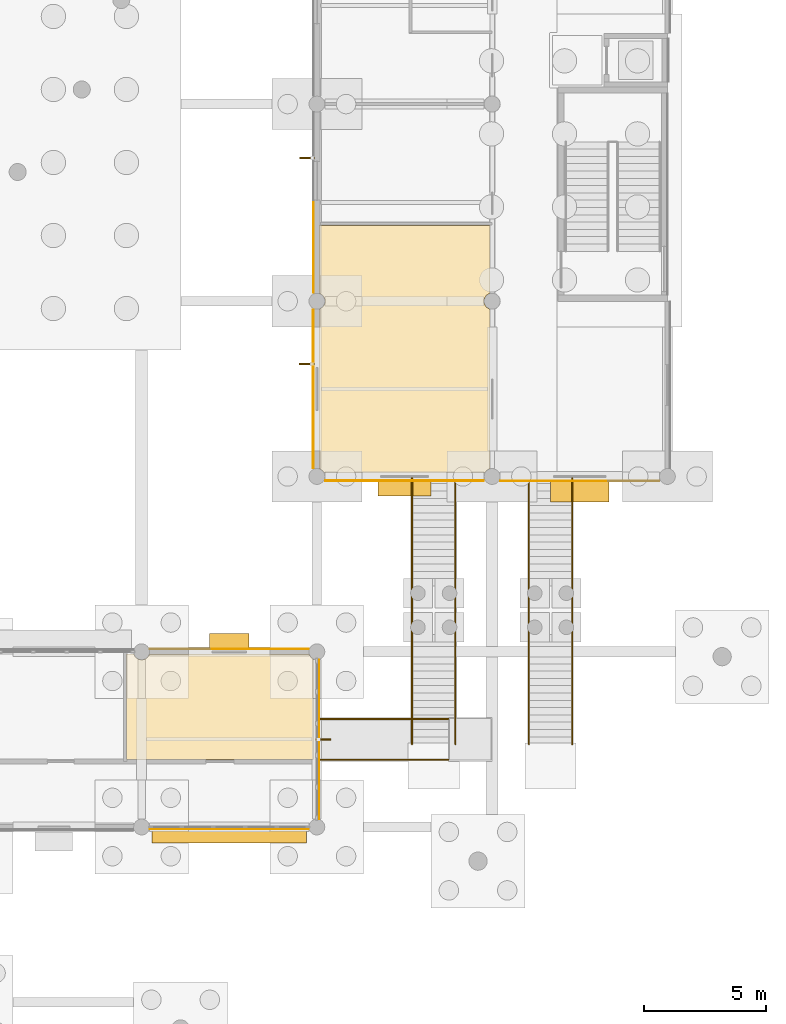
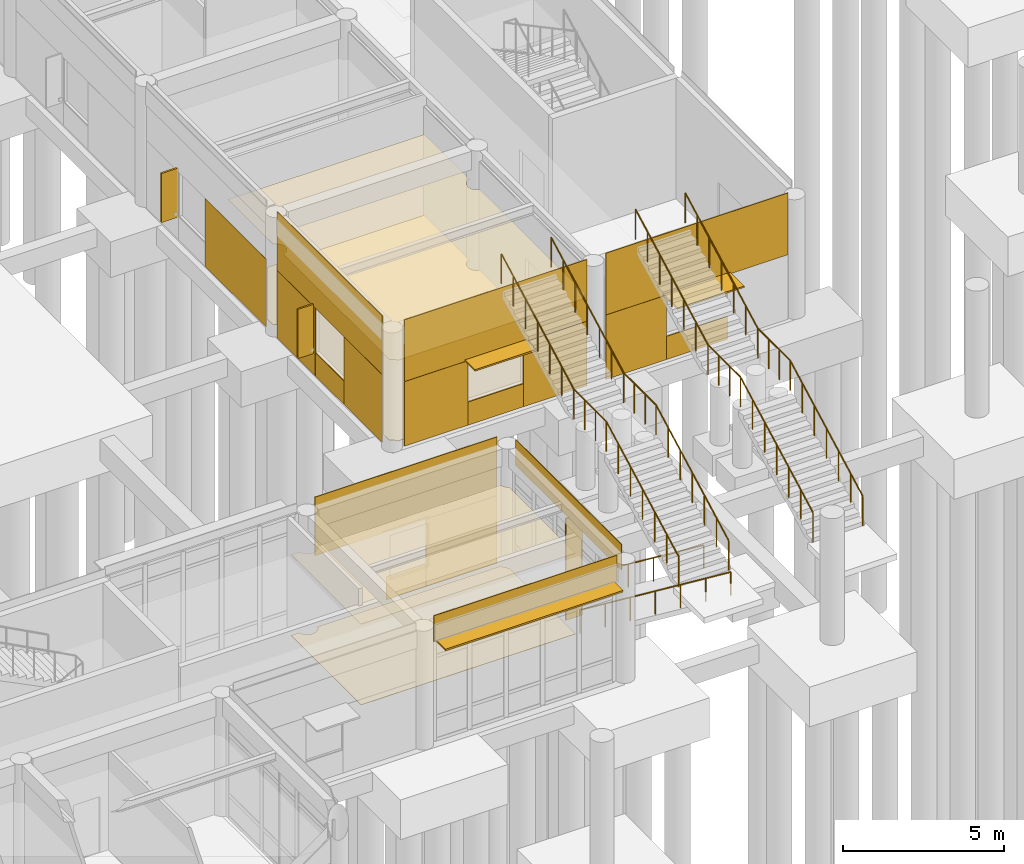
# One storey, part 100 of 103: 21 coverings, 7 shading devices, 6 railings.
"""IFC4 building model written with IfcOpenShell, lengths in metres."""

from ifc_helpers import new_model, si_unit, direction, frame, origin, origin_2d, place, context, subcontext, project, spatial, polyline, rectangle, circle, outline, extrude, material, layer, layer_set, type_object, element, save


model = new_model("IFC4")

# Units and contexts
model_context = context("Model", 3, precision=1e-05, world=origin(), true_north=direction((0.0, 1.0)))
body_context = subcontext(model_context, "Body", "Model", "MODEL_VIEW")
ifc_project = project(units=[si_unit("LENGTHUNIT", "METRE"), si_unit("AREAUNIT", "SQUARE_METRE"), si_unit("VOLUMEUNIT", "CUBIC_METRE"), si_unit("PLANEANGLEUNIT", "RADIAN"), si_unit("MASSUNIT", "GRAM", prefix="KILO")], contexts=[model_context])

# Site, building, storey
site_placement = place(None, origin())
site = spatial("IfcSite", under=ifc_project, at=site_placement, CompositionType="ELEMENT")
building_placement = place(site_placement, origin())
building = spatial("IfcBuilding", under=site, at=building_placement, Name="Namkhue Oval Health Centre", CompositionType="ELEMENT")
storey_placement = place(building_placement, origin())
storey = spatial("IfcBuildingStorey", under=building, at=storey_placement, Name="L00", CompositionType="ELEMENT", Elevation=0.0)

# Coverings
ifc_material_1 = material(Name="Acoustic mineral-fibre cleanroom ceiling", Category="gypsum")
ifc_layer_1 = layer(ifc_material_1, 0.02001953125)
ifc_layer_set_1 = layer_set([ifc_layer_1], Name="Acoustic mineral-fibre cleanroom ceiling")
covering_type_1 = type_object("IfcCoveringType", Name="ACOUSTIC CLEANROOM CEILING 20", PredefinedType="CEILING", material=ifc_layer_set_1)
covering_1_placement = place(storey_placement, frame((0.0, 0.0, 3.050048828125)))
element("IfcCovering", 1, at=covering_1_placement, inside=storey, type_object=covering_type_1, Name="Acoustic Ceiling L00-511 Dental Treatment Planning Clinic", PredefinedType="CEILING", context=body_context, shape_type="SweptSolid", body=[
    extrude(outline(polyline([(128.97998046875, 24.3798828125), (128.97998046875, 28.715087890625), (129.276123046875, 28.715087890625), (129.309814453125, 28.632568359375), (129.363037109375, 28.56298828125), (129.4326171875, 28.510009765625), (129.51318359375, 28.476318359375), (129.60009765625, 28.465087890625), (129.686767578125, 28.476318359375), (129.767578125, 28.510009765625), (129.8369140625, 28.56298828125), (129.89013671875, 28.632568359375), (129.923828125, 28.715087890625), (136.476318359375, 28.715087890625), (136.510009765625, 28.632568359375), (136.56298828125, 28.56298828125), (136.632568359375, 28.510009765625), (136.655029296875, 28.50048828125), (136.655029296875, 24.3798828125), (128.97998046875, 24.3798828125)])), origin(), (0.0, 0.0, 1.0), 0.02001953125),
])
covering_2_placement = place(storey_placement, frame((0.0, 0.0, 3.050048828125)))
element("IfcCovering", 2, at=covering_2_placement, inside=storey, type_object=covering_type_1, Name="Acoustic Ceiling L00-601 Rehabilitation Physiotherapy Gym", PredefinedType="CEILING", context=body_context, shape_type="SweptSolid", body=[
    extrude(outline(polyline([(137.09521484375, 36.155029296875), (137.090087890625, 36.16748046875), (137.036865234375, 36.23681640625), (136.967529296875, 36.2900390625), (136.885009765625, 36.32373046875), (136.885009765625, 42.876220703125), (136.967529296875, 42.909912109375), (137.036865234375, 42.963134765625), (137.090087890625, 43.032470703125), (137.12353515625, 43.11328125), (137.135009765625, 43.199951171875), (137.12353515625, 43.28662109375), (137.090087890625, 43.367431640625), (137.036865234375, 43.43701171875), (136.967529296875, 43.489990234375), (136.885009765625, 43.523681640625), (136.885009765625, 46.31494140625), (143.919921875, 46.31494140625), (143.919921875, 43.5244140625), (143.83251953125, 43.489990234375), (143.76318359375, 43.43701171875), (143.7099609375, 43.367431640625), (143.676513671875, 43.28662109375), (143.6650390625, 43.199951171875), (143.676513671875, 43.11328125), (143.7099609375, 43.032470703125), (143.76318359375, 42.963134765625), (143.83251953125, 42.909912109375), (143.919921875, 42.87548828125), (143.919921875, 36.324462890625), (143.83251953125, 36.2900390625), (143.76318359375, 36.23681640625), (143.7099609375, 36.16748046875), (143.70458984375, 36.155029296875), (137.09521484375, 36.155029296875)])), origin(), (0.0, 0.0, 1.0), 0.02001953125),
])
ifc_material_2 = material(Name="Homogeneous anti-bacterial clinical vinyl flooring", Category="plastic")
ifc_layer_2 = layer(ifc_material_2, 0.014892578125)
ifc_layer_set_2 = layer_set([ifc_layer_2], Name="Homogeneous anti-bacterial clinical vinyl flooring")
covering_type_2 = type_object("IfcCoveringType", Name="CLINICAL ANTIBACTERIAL VINYL FLOORING 15", PredefinedType="FLOORING", material=ifc_layer_set_2)
covering_3_placement = place(storey_placement, origin())
element("IfcCovering", 3, at=covering_3_placement, inside=storey, type_object=covering_type_2, Name="Clinical Flooring L00-511 Dental Treatment Planning Clinic", PredefinedType="FLOORING", context=body_context, shape_type="SweptSolid", body=[
    extrude(outline(polyline([(128.97998046875, 24.3798828125), (128.97998046875, 28.715087890625), (129.276123046875, 28.715087890625), (129.309814453125, 28.632568359375), (129.363037109375, 28.56298828125), (129.4326171875, 28.510009765625), (129.51318359375, 28.476318359375), (129.60009765625, 28.465087890625), (129.686767578125, 28.476318359375), (129.767578125, 28.510009765625), (129.8369140625, 28.56298828125), (129.89013671875, 28.632568359375), (129.923828125, 28.715087890625), (136.476318359375, 28.715087890625), (136.510009765625, 28.632568359375), (136.56298828125, 28.56298828125), (136.632568359375, 28.510009765625), (136.655029296875, 28.50048828125), (136.655029296875, 24.3798828125), (128.97998046875, 24.3798828125)])), origin(), (0.0, 0.0, 1.0), 0.014892578125),
])
covering_4_placement = place(storey_placement, origin())
element("IfcCovering", 4, at=covering_4_placement, inside=storey, type_object=covering_type_2, Name="Clinical Flooring L00-601 Rehabilitation Physiotherapy Gym", PredefinedType="FLOORING", context=body_context, shape_type="SweptSolid", body=[
    extrude(outline(polyline([(137.09521484375, 36.155029296875), (137.090087890625, 36.16748046875), (137.036865234375, 36.23681640625), (136.967529296875, 36.2900390625), (136.885009765625, 36.32373046875), (136.885009765625, 42.876220703125), (136.967529296875, 42.909912109375), (137.036865234375, 42.963134765625), (137.090087890625, 43.032470703125), (137.12353515625, 43.11328125), (137.135009765625, 43.199951171875), (137.12353515625, 43.28662109375), (137.090087890625, 43.367431640625), (137.036865234375, 43.43701171875), (136.967529296875, 43.489990234375), (136.885009765625, 43.523681640625), (136.885009765625, 46.31494140625), (143.919921875, 46.31494140625), (143.919921875, 43.5244140625), (143.83251953125, 43.489990234375), (143.76318359375, 43.43701171875), (143.7099609375, 43.367431640625), (143.676513671875, 43.28662109375), (143.6650390625, 43.199951171875), (143.676513671875, 43.11328125), (143.7099609375, 43.032470703125), (143.76318359375, 42.963134765625), (143.83251953125, 42.909912109375), (143.919921875, 42.87548828125), (143.919921875, 36.324462890625), (143.83251953125, 36.2900390625), (143.76318359375, 36.23681640625), (143.7099609375, 36.16748046875), (143.70458984375, 36.155029296875), (137.09521484375, 36.155029296875)])), origin(), (0.0, 0.0, 1.0), 0.014892578125),
])

# Railings
ifc_material_3 = material(Name="Brushed stainless steel 316L balustrade with laminated glass infill", Category="steel")
railing_type_1 = type_object("IfcRailingType", Name="EXTERIOR BALUSTRADE GUARD 1150", PredefinedType="BALUSTRADE", material=ifc_material_3)
railing_1_placement = place(storey_placement, frame((140.7099609375, 25.0048828125, 0.0)))
element("IfcRailing", 5, at=railing_1_placement, inside=storey, type_object=railing_type_1, Name="Rehab Terrace West Garden Straight Stair Balustrade Guard L", PredefinedType="BALUSTRADE", context=body_context, shape_type="SweptSolid", body=[
    extrude(circle(Radius=0.02392578125, at=origin_2d()), frame((0.0, 0.0, 1.1259765625), z_axis=(0.0, 0.882148612025, 0.470971152303), x_axis=(-1.0, 0.0, 0.0)), (0.0, 0.0, 1.0), 5.095703125),
    extrude(circle(Radius=0.02392578125, at=origin_2d()), frame((0.0, 4.4951171875, 3.52587890625), z_axis=(0.0, 1.0, 0.0), x_axis=(-1.0, 0.0, 0.0)), (0.0, 0.0, 1.0), 2.010009765625),
    extrude(circle(Radius=0.02392578125, at=origin_2d()), frame((0.0, 6.505126953125, 3.52587890625), z_axis=(0.0, 0.882118076439, 0.471028342267), x_axis=(-1.0, 0.0, 0.0)), (0.0, 0.0, 1.0), 5.095458984375),
    extrude(circle(Radius=0.02099609375, at=origin_2d()), origin(), (0.0, 0.0, 1.0), 1.101806640625),
    extrude(circle(Radius=0.02099609375, at=origin_2d()), frame((0.0, 0.749267578125, 0.39990234375)), (0.0, 0.0, 1.0), 1.101806640625),
    extrude(circle(Radius=0.02099609375, at=origin_2d()), frame((0.0, 1.498291015625, 0.800048828125)), (0.0, 0.0, 1.0), 1.101806640625),
    extrude(circle(Radius=0.02099609375, at=origin_2d()), frame((0.0, 2.24755859375, 1.199951171875)), (0.0, 0.0, 1.0), 1.101806640625),
    extrude(circle(Radius=0.02099609375, at=origin_2d()), frame((0.0, 2.996826171875, 1.599853515625)), (0.0, 0.0, 1.0), 1.101806640625),
    extrude(circle(Radius=0.02099609375, at=origin_2d()), frame((0.0, 3.745849609375, 2.0)), (0.0, 0.0, 1.0), 1.101806640625),
    extrude(circle(Radius=0.02099609375, at=origin_2d()), frame((0.0, 4.4951171875, 2.39990234375)), (0.0, 0.0, 1.0), 1.101806640625),
    extrude(circle(Radius=0.02099609375, at=origin_2d()), frame((0.0, 5.1650390625, 2.39990234375)), (0.0, 0.0, 1.0), 1.101806640625),
    extrude(circle(Radius=0.02099609375, at=origin_2d()), frame((0.0, 5.835205078125, 2.39990234375)), (0.0, 0.0, 1.0), 1.101806640625),
    extrude(circle(Radius=0.02099609375, at=origin_2d()), frame((0.0, 6.505126953125, 2.39990234375)), (0.0, 0.0, 1.0), 1.101806640625),
    extrude(circle(Radius=0.02099609375, at=origin_2d()), frame((0.0, 7.25439453125, 2.7998046875)), (0.0, 0.0, 1.0), 1.101806640625),
    extrude(circle(Radius=0.02099609375, at=origin_2d()), frame((0.0, 8.00341796875, 3.199951171875)), (0.0, 0.0, 1.0), 1.101806640625),
    extrude(circle(Radius=0.02099609375, at=origin_2d()), frame((0.0, 8.75244140625, 3.60009765625)), (0.0, 0.0, 1.0), 1.101806640625),
    extrude(circle(Radius=0.02099609375, at=origin_2d()), frame((0.0, 9.501708984375, 4.0)), (0.0, 0.0, 1.0), 1.101806640625),
    extrude(circle(Radius=0.02099609375, at=origin_2d()), frame((0.0, 10.2509765625, 4.39990234375)), (0.0, 0.0, 1.0), 1.101806640625),
    extrude(circle(Radius=0.02099609375, at=origin_2d()), frame((0.0, 11.0, 4.800048828125)), (0.0, 0.0, 1.0), 1.101806640625),
])
railing_2_placement = place(storey_placement, frame((142.489990234375, 25.0048828125, 0.0)))
element("IfcRailing", 6, at=railing_2_placement, inside=storey, type_object=railing_type_1, Name="Rehab Terrace West Garden Straight Stair Balustrade Guard R", PredefinedType="BALUSTRADE", context=body_context, shape_type="SweptSolid", body=[
    extrude(circle(Radius=0.02392578125, at=origin_2d()), frame((0.0, 0.0, 1.1259765625), z_axis=(0.0, 0.882148612025, 0.470971152303), x_axis=(-1.0, 0.0, 0.0)), (0.0, 0.0, 1.0), 5.095703125),
    extrude(circle(Radius=0.02392578125, at=origin_2d()), frame((0.0, 4.4951171875, 3.52587890625), z_axis=(0.0, 1.0, 0.0), x_axis=(-1.0, 0.0, 0.0)), (0.0, 0.0, 1.0), 2.010009765625),
    extrude(circle(Radius=0.02392578125, at=origin_2d()), frame((0.0, 6.505126953125, 3.52587890625), z_axis=(0.0, 0.882118076439, 0.471028342267), x_axis=(-1.0, 0.0, 0.0)), (0.0, 0.0, 1.0), 5.095458984375),
    extrude(circle(Radius=0.02099609375, at=origin_2d()), origin(), (0.0, 0.0, 1.0), 1.101806640625),
    extrude(circle(Radius=0.02099609375, at=origin_2d()), frame((0.0, 0.749267578125, 0.39990234375)), (0.0, 0.0, 1.0), 1.101806640625),
    extrude(circle(Radius=0.02099609375, at=origin_2d()), frame((0.0, 1.498291015625, 0.800048828125)), (0.0, 0.0, 1.0), 1.101806640625),
    extrude(circle(Radius=0.02099609375, at=origin_2d()), frame((0.0, 2.24755859375, 1.199951171875)), (0.0, 0.0, 1.0), 1.101806640625),
    extrude(circle(Radius=0.02099609375, at=origin_2d()), frame((0.0, 2.996826171875, 1.599853515625)), (0.0, 0.0, 1.0), 1.101806640625),
    extrude(circle(Radius=0.02099609375, at=origin_2d()), frame((0.0, 3.745849609375, 2.0)), (0.0, 0.0, 1.0), 1.101806640625),
    extrude(circle(Radius=0.02099609375, at=origin_2d()), frame((0.0, 4.4951171875, 2.39990234375)), (0.0, 0.0, 1.0), 1.101806640625),
    extrude(circle(Radius=0.02099609375, at=origin_2d()), frame((0.0, 5.1650390625, 2.39990234375)), (0.0, 0.0, 1.0), 1.101806640625),
    extrude(circle(Radius=0.02099609375, at=origin_2d()), frame((0.0, 5.835205078125, 2.39990234375)), (0.0, 0.0, 1.0), 1.101806640625),
    extrude(circle(Radius=0.02099609375, at=origin_2d()), frame((0.0, 6.505126953125, 2.39990234375)), (0.0, 0.0, 1.0), 1.101806640625),
    extrude(circle(Radius=0.02099609375, at=origin_2d()), frame((0.0, 7.25439453125, 2.7998046875)), (0.0, 0.0, 1.0), 1.101806640625),
    extrude(circle(Radius=0.02099609375, at=origin_2d()), frame((0.0, 8.00341796875, 3.199951171875)), (0.0, 0.0, 1.0), 1.101806640625),
    extrude(circle(Radius=0.02099609375, at=origin_2d()), frame((0.0, 8.75244140625, 3.60009765625)), (0.0, 0.0, 1.0), 1.101806640625),
    extrude(circle(Radius=0.02099609375, at=origin_2d()), frame((0.0, 9.501708984375, 4.0)), (0.0, 0.0, 1.0), 1.101806640625),
    extrude(circle(Radius=0.02099609375, at=origin_2d()), frame((0.0, 10.2509765625, 4.39990234375)), (0.0, 0.0, 1.0), 1.101806640625),
    extrude(circle(Radius=0.02099609375, at=origin_2d()), frame((0.0, 11.0, 4.800048828125)), (0.0, 0.0, 1.0), 1.101806640625),
])
railing_3_placement = place(storey_placement, frame((145.510009765625, 25.0048828125, 0.0)))
element("IfcRailing", 7, at=railing_3_placement, inside=storey, type_object=railing_type_1, Name="Rehab Terrace East Garden Straight Stair Balustrade Guard L", PredefinedType="BALUSTRADE", context=body_context, shape_type="SweptSolid", body=[
    extrude(circle(Radius=0.02392578125, at=origin_2d()), frame((0.0, 0.0, 1.1259765625), z_axis=(0.0, 0.882148612025, 0.470971152303), x_axis=(-1.0, 0.0, 0.0)), (0.0, 0.0, 1.0), 5.095703125),
    extrude(circle(Radius=0.02392578125, at=origin_2d()), frame((0.0, 4.4951171875, 3.52587890625), z_axis=(0.0, 1.0, 0.0), x_axis=(-1.0, 0.0, 0.0)), (0.0, 0.0, 1.0), 2.010009765625),
    extrude(circle(Radius=0.02392578125, at=origin_2d()), frame((0.0, 6.505126953125, 3.52587890625), z_axis=(0.0, 0.882118076439, 0.471028342267), x_axis=(-1.0, 0.0, 0.0)), (0.0, 0.0, 1.0), 5.095458984375),
    extrude(circle(Radius=0.02099609375, at=origin_2d()), origin(), (0.0, 0.0, 1.0), 1.101806640625),
    extrude(circle(Radius=0.02099609375, at=origin_2d()), frame((0.0, 0.749267578125, 0.39990234375)), (0.0, 0.0, 1.0), 1.101806640625),
    extrude(circle(Radius=0.02099609375, at=origin_2d()), frame((0.0, 1.498291015625, 0.800048828125)), (0.0, 0.0, 1.0), 1.101806640625),
    extrude(circle(Radius=0.02099609375, at=origin_2d()), frame((0.0, 2.24755859375, 1.199951171875)), (0.0, 0.0, 1.0), 1.101806640625),
    extrude(circle(Radius=0.02099609375, at=origin_2d()), frame((0.0, 2.996826171875, 1.599853515625)), (0.0, 0.0, 1.0), 1.101806640625),
    extrude(circle(Radius=0.02099609375, at=origin_2d()), frame((0.0, 3.745849609375, 2.0)), (0.0, 0.0, 1.0), 1.101806640625),
    extrude(circle(Radius=0.02099609375, at=origin_2d()), frame((0.0, 4.4951171875, 2.39990234375)), (0.0, 0.0, 1.0), 1.101806640625),
    extrude(circle(Radius=0.02099609375, at=origin_2d()), frame((0.0, 5.1650390625, 2.39990234375)), (0.0, 0.0, 1.0), 1.101806640625),
    extrude(circle(Radius=0.02099609375, at=origin_2d()), frame((0.0, 5.835205078125, 2.39990234375)), (0.0, 0.0, 1.0), 1.101806640625),
    extrude(circle(Radius=0.02099609375, at=origin_2d()), frame((0.0, 6.505126953125, 2.39990234375)), (0.0, 0.0, 1.0), 1.101806640625),
    extrude(circle(Radius=0.02099609375, at=origin_2d()), frame((0.0, 7.25439453125, 2.7998046875)), (0.0, 0.0, 1.0), 1.101806640625),
    extrude(circle(Radius=0.02099609375, at=origin_2d()), frame((0.0, 8.00341796875, 3.199951171875)), (0.0, 0.0, 1.0), 1.101806640625),
    extrude(circle(Radius=0.02099609375, at=origin_2d()), frame((0.0, 8.75244140625, 3.60009765625)), (0.0, 0.0, 1.0), 1.101806640625),
    extrude(circle(Radius=0.02099609375, at=origin_2d()), frame((0.0, 9.501708984375, 4.0)), (0.0, 0.0, 1.0), 1.101806640625),
    extrude(circle(Radius=0.02099609375, at=origin_2d()), frame((0.0, 10.2509765625, 4.39990234375)), (0.0, 0.0, 1.0), 1.101806640625),
    extrude(circle(Radius=0.02099609375, at=origin_2d()), frame((0.0, 11.0, 4.800048828125)), (0.0, 0.0, 1.0), 1.101806640625),
])
railing_4_placement = place(storey_placement, frame((147.2900390625, 25.0048828125, 0.0)))
element("IfcRailing", 8, at=railing_4_placement, inside=storey, type_object=railing_type_1, Name="Rehab Terrace East Garden Straight Stair Balustrade Guard R", PredefinedType="BALUSTRADE", context=body_context, shape_type="SweptSolid", body=[
    extrude(circle(Radius=0.02392578125, at=origin_2d()), frame((0.0, 0.0, 1.1259765625), z_axis=(0.0, 0.882148612025, 0.470971152303), x_axis=(-1.0, 0.0, 0.0)), (0.0, 0.0, 1.0), 5.095703125),
    extrude(circle(Radius=0.02392578125, at=origin_2d()), frame((0.0, 4.4951171875, 3.52587890625), z_axis=(0.0, 1.0, 0.0), x_axis=(-1.0, 0.0, 0.0)), (0.0, 0.0, 1.0), 2.010009765625),
    extrude(circle(Radius=0.02392578125, at=origin_2d()), frame((0.0, 6.505126953125, 3.52587890625), z_axis=(0.0, 0.882118076439, 0.471028342267), x_axis=(-1.0, 0.0, 0.0)), (0.0, 0.0, 1.0), 5.095458984375),
    extrude(circle(Radius=0.02099609375, at=origin_2d()), origin(), (0.0, 0.0, 1.0), 1.101806640625),
    extrude(circle(Radius=0.02099609375, at=origin_2d()), frame((0.0, 0.749267578125, 0.39990234375)), (0.0, 0.0, 1.0), 1.101806640625),
    extrude(circle(Radius=0.02099609375, at=origin_2d()), frame((0.0, 1.498291015625, 0.800048828125)), (0.0, 0.0, 1.0), 1.101806640625),
    extrude(circle(Radius=0.02099609375, at=origin_2d()), frame((0.0, 2.24755859375, 1.199951171875)), (0.0, 0.0, 1.0), 1.101806640625),
    extrude(circle(Radius=0.02099609375, at=origin_2d()), frame((0.0, 2.996826171875, 1.599853515625)), (0.0, 0.0, 1.0), 1.101806640625),
    extrude(circle(Radius=0.02099609375, at=origin_2d()), frame((0.0, 3.745849609375, 2.0)), (0.0, 0.0, 1.0), 1.101806640625),
    extrude(circle(Radius=0.02099609375, at=origin_2d()), frame((0.0, 4.4951171875, 2.39990234375)), (0.0, 0.0, 1.0), 1.101806640625),
    extrude(circle(Radius=0.02099609375, at=origin_2d()), frame((0.0, 5.1650390625, 2.39990234375)), (0.0, 0.0, 1.0), 1.101806640625),
    extrude(circle(Radius=0.02099609375, at=origin_2d()), frame((0.0, 5.835205078125, 2.39990234375)), (0.0, 0.0, 1.0), 1.101806640625),
    extrude(circle(Radius=0.02099609375, at=origin_2d()), frame((0.0, 6.505126953125, 2.39990234375)), (0.0, 0.0, 1.0), 1.101806640625),
    extrude(circle(Radius=0.02099609375, at=origin_2d()), frame((0.0, 7.25439453125, 2.7998046875)), (0.0, 0.0, 1.0), 1.101806640625),
    extrude(circle(Radius=0.02099609375, at=origin_2d()), frame((0.0, 8.00341796875, 3.199951171875)), (0.0, 0.0, 1.0), 1.101806640625),
    extrude(circle(Radius=0.02099609375, at=origin_2d()), frame((0.0, 8.75244140625, 3.60009765625)), (0.0, 0.0, 1.0), 1.101806640625),
    extrude(circle(Radius=0.02099609375, at=origin_2d()), frame((0.0, 9.501708984375, 4.0)), (0.0, 0.0, 1.0), 1.101806640625),
    extrude(circle(Radius=0.02099609375, at=origin_2d()), frame((0.0, 10.2509765625, 4.39990234375)), (0.0, 0.0, 1.0), 1.101806640625),
    extrude(circle(Radius=0.02099609375, at=origin_2d()), frame((0.0, 11.0, 4.800048828125)), (0.0, 0.0, 1.0), 1.101806640625),
])
ifc_material_4 = material(Name="Brushed stainless steel 304 tubular handrail", Category="steel")
railing_type_2 = type_object("IfcRailingType", Name="EXTERIOR RAMP HANDRAIL 900", PredefinedType="HANDRAIL", material=ifc_material_4)
for number, where, name in (
    (9, (142.199951171875, 24.360107421875, -0.449951171875), "Dental and Mental Health East Ramp Handrail L"),
    (10, (142.199951171875, 26.0400390625, -0.449951171875), "Dental and Mental Health East Ramp Handrail R"),
):
    element("IfcRailing", number, at=place(storey_placement, frame(where)), inside=storey, type_object=railing_type_2, Name=name, PredefinedType="HANDRAIL", context=body_context, shape_type="SweptSolid", body=[
        extrude(circle(Radius=0.02392578125, at=origin_2d()), frame((0.0, 0.0, 0.8759765625), z_axis=(-0.996546379678, 0.0, 0.083038022323), x_axis=(0.0, -1.0, 0.0)), (0.0, 0.0, 1.0), 5.418701171875),
        extrude(circle(Radius=0.02099609375, at=origin_2d()), origin(), (0.0, 0.0, 1.0), 0.851806640625),
        extrude(circle(Radius=0.02099609375, at=origin_2d()), frame((-0.89990234375, 0.0, 0.074951171875)), (0.0, 0.0, 1.0), 0.851806640625),
        extrude(circle(Radius=0.02099609375, at=origin_2d()), frame((-1.800048828125, 0.0, 0.14990234375)), (0.0, 0.0, 1.0), 0.851806640625),
        extrude(circle(Radius=0.02099609375, at=origin_2d()), frame((-2.699951171875, 0.0, 0.22509765625)), (0.0, 0.0, 1.0), 0.851806640625),
        extrude(circle(Radius=0.02099609375, at=origin_2d()), frame((-3.599853515625, 0.0, 0.300048828125)), (0.0, 0.0, 1.0), 0.851806640625),
        extrude(circle(Radius=0.02099609375, at=origin_2d()), frame((-4.5, 0.0, 0.375)), (0.0, 0.0, 1.0), 0.851806640625),
        extrude(circle(Radius=0.02099609375, at=origin_2d()), frame((-5.39990234375, 0.0, 0.449951171875)), (0.0, 0.0, 1.0), 0.851806640625),
    ])

# Shading devices
ifc_material_5 = material(Name="Anodised aluminium EN AW-6063 T6", Category="aluminium")
ifc_layer_3 = layer(ifc_material_5, 0.06005859375)
ifc_layer_set_3 = layer_set([ifc_layer_3], Name="Anodised aluminium EN AW-6063 T6")
shading_device_type_1 = type_object("IfcShadingDeviceType", Name="MONSOON SUN LOUVRE 900", PredefinedType="JALOUSIE", material=ifc_layer_set_3)
shading_device_1_placement = place(storey_placement, frame((147.60009765625, 35.39501953125, 2.4599609375), z_axis=(0.0, 0.0, 1.0), x_axis=(1.0, 0.0, 0.0)))
element("IfcShadingDevice", 11, at=shading_device_1_placement, inside=storey, type_object=shading_device_type_1, Name="Volume V6 L00 Window Monsoon Louvre 296", PredefinedType="JALOUSIE", context=body_context, shape_type="SweptSolid", body=[
    extrude(rectangle(XDim=2.389892578125, YDim=0.89990234375, at=origin_2d()), origin(), (0.0, 0.0, 1.0), 0.06005859375),
])
ifc_layer_4 = layer(ifc_material_5, 0.050048828125)
ifc_layer_set_4 = layer_set([ifc_layer_4], Name="Anodised aluminium EN AW-6063 T6")
shading_device_type_2 = type_object("IfcShadingDeviceType", Name="STORM SHUTTER LOUVRE 650", PredefinedType="SHUTTER", material=ifc_layer_set_4)
shading_device_2_placement = place(storey_placement, frame((133.199951171875, 21.27490234375, 3.77490234375), z_axis=(0.0, 0.0, 1.0), x_axis=(1.0, 0.0, 0.0)))
element("IfcShadingDevice", 12, at=shading_device_2_placement, inside=storey, type_object=shading_device_type_2, Name="Volume V5 L00 Horizontal Monsoon Sun Louvre 243", PredefinedType="SHUTTER", context=body_context, shape_type="SweptSolid", body=[
    extrude(rectangle(XDim=6.360107421875, YDim=0.64990234375, at=origin_2d()), origin(), (0.0, 0.0, 1.0), 0.06005859375),
])
shading_device_3_placement = place(storey_placement, frame((133.199951171875, 29.219970703125, 2.580078125), z_axis=(0.0, 0.0, 1.0), x_axis=(-1.0, 0.0, 0.0)))
element("IfcShadingDevice", 13, at=shading_device_3_placement, inside=storey, type_object=shading_device_type_2, Name="Volume V5 L00 Window Monsoon Louvre 245", PredefinedType="SHUTTER", context=body_context, shape_type="SweptSolid", body=[
    extrude(rectangle(XDim=1.639892578125, YDim=0.64990234375, at=origin_2d()), origin(), (0.0, 0.0, 1.0), 0.06005859375),
])
shading_device_4_placement = place(storey_placement, frame((140.39990234375, 35.52490234375, 2.4599609375), z_axis=(0.0, 0.0, 1.0), x_axis=(1.0, 0.0, 0.0)))
element("IfcShadingDevice", 14, at=shading_device_4_placement, inside=storey, type_object=shading_device_type_2, Name="Volume V6 L00 Window Monsoon Louvre 295", PredefinedType="SHUTTER", context=body_context, shape_type="SweptSolid", body=[
    extrude(rectangle(XDim=2.18994140625, YDim=0.64990234375, at=origin_2d()), origin(), (0.0, 0.0, 1.0), 0.06005859375),
])
shading_device_type_3 = type_object("IfcShadingDeviceType", Name="VERTICAL SOLAR FIN 600", PredefinedType="USERDEFINED", material=ifc_material_5)
shading_device_5_placement = place(storey_placement, frame((137.06005859375, 25.199951171875, 0.0), z_axis=(0.0, 0.0, 1.0), x_axis=(1.0, 0.0, 0.0)))
element("IfcShadingDevice", 15, at=shading_device_5_placement, inside=storey, type_object=shading_device_type_3, Name="Volume V5 L00 Extruded Aluminium Solar Fin 244", ObjectType="SOLAR FIN", PredefinedType="USERDEFINED", context=body_context, shape_type="SweptSolid", body=[
    extrude(rectangle(XDim=0.60009765625, YDim=0.06005859375, at=origin_2d()), origin(), (0.0, 0.0, 1.0), 3.844970703125),
])
for number, where, z_axis, x_axis, name in (
    (16, (136.389892578125, 49.090087890625, 0.7998046875), (0.0, 0.0, 1.0), (-1.0, 0.0, 0.0), "Volume V6 L00 Window Solar Fin 302"),
    (17, (136.385009765625, 40.614990234375, 0.7998046875), (0.0, 0.0, 1.0), (-1.0, 0.0, 0.0), "Volume V6 L00 Window Solar Fin 303"),
):
    element("IfcShadingDevice", number, at=place(storey_placement, frame(where, z_axis=z_axis, x_axis=x_axis)), inside=storey, type_object=shading_device_type_3, Name=name, ObjectType="SOLAR FIN", PredefinedType="USERDEFINED", context=body_context, shape_type="SweptSolid", body=[
        extrude(rectangle(XDim=0.60009765625, YDim=0.06005859375, at=origin_2d()), origin(), (0.0, 0.0, 1.0), 1.860107421875),
    ])

# Coverings
ifc_material_6 = material(Name="White glass-fibre reinforced concrete GRC rainscreen cladding", Category="concrete")
ifc_layer_5 = layer(ifc_material_6, 0.02490234375)
ifc_layer_set_5 = layer_set([ifc_layer_5], Name="White glass-fibre reinforced concrete GRC rainscreen cladding")
covering_type_3 = type_object("IfcCoveringType", Name="WHITE GRC RAINSCREEN CLADDING 25", PredefinedType="CLADDING", material=ifc_layer_set_5)
for number, where, z_axis, x_axis, name in (
    (18, (133.199951171875, 21.511474609375, 3.830078125), (0.0, 0.0, 1.0), (1.0, 0.0, 0.0), "Volume V5 L00 Curtain Wall Spandrel Cladding 181"),
    (19, (136.888427734375, 25.199951171875, 3.830078125), (0.0, 0.0, 1.0), (0.0, 1.0, 0.0), "Volume V5 L00 Curtain Wall Spandrel Cladding 182"),
):
    element("IfcCovering", number, at=place(storey_placement, frame(where, z_axis=z_axis, x_axis=x_axis)), inside=storey, type_object=covering_type_3, Name=name, PredefinedType="CLADDING", context=body_context, shape_type="SweptSolid", body=[
        extrude(rectangle(XDim=6.550048828125, YDim=0.02490234375, at=origin_2d()), origin(), (0.0, 0.0, 1.0), 0.969970703125),
    ])
covering_5_placement = place(storey_placement, frame((133.199951171875, 28.9169921875, 2.5751953125), z_axis=(0.0, 0.0, 1.0), x_axis=(-1.0, 0.0, 0.0)))
element("IfcCovering", 20, at=covering_5_placement, inside=storey, type_object=covering_type_3, Name="Volume V5 L00 Facade 116 White GRC Cladding 1", PredefinedType="CLADDING", context=body_context, shape_type="SweptSolid", body=[
    extrude(rectangle(XDim=6.52001953125, YDim=0.02490234375, at=origin_2d()), origin(), (0.0, 0.0, 1.0), 2.215087890625),
])
covering_6_placement = place(storey_placement, frame((135.1875, 28.9169921875, 0.010009765625), z_axis=(0.0, 0.0, 1.0), x_axis=(-1.0, 0.0, 0.0)))
element("IfcCovering", 21, at=covering_6_placement, inside=storey, type_object=covering_type_3, Name="Volume V5 L00 Facade 116 White GRC Cladding 2", PredefinedType="CLADDING", context=body_context, shape_type="SweptSolid", body=[
    extrude(rectangle(XDim=2.544921875, YDim=0.02490234375, at=origin_2d()), origin(), (0.0, 0.0, 1.0), 2.56005859375),
])
covering_7_placement = place(storey_placement, frame((133.199951171875, 28.9169921875, 0.010009765625), z_axis=(0.0, 0.0, 1.0), x_axis=(-1.0, 0.0, 0.0)))
element("IfcCovering", 22, at=covering_7_placement, inside=storey, type_object=covering_type_3, Name="Volume V5 L00 Facade 116 White GRC Cladding 3", PredefinedType="CLADDING", context=body_context, shape_type="SweptSolid", body=[
    extrude(rectangle(XDim=1.419921875, YDim=0.02490234375, at=origin_2d()), origin(), (0.0, 0.0, 1.0), 0.875),
])
covering_8_placement = place(storey_placement, frame((140.39990234375, 35.827880859375, 2.455078125), z_axis=(0.0, 0.0, 1.0), x_axis=(1.0, 0.0, 0.0)))
element("IfcCovering", 23, at=covering_8_placement, inside=storey, type_object=covering_type_3, Name="Volume V6 L00 Facade 159 White GRC Cladding 1", PredefinedType="CLADDING", context=body_context, shape_type="SweptSolid", body=[
    extrude(rectangle(XDim=6.52001953125, YDim=0.02490234375, at=origin_2d()), origin(), (0.0, 0.0, 1.0), 2.3349609375),
])
covering_9_placement = place(storey_placement, frame((138.27490234375, 35.827880859375, 0.010009765625), z_axis=(0.0, 0.0, 1.0), x_axis=(1.0, 0.0, 0.0)))
element("IfcCovering", 24, at=covering_9_placement, inside=storey, type_object=covering_type_3, Name="Volume V6 L00 Facade 159 White GRC Cladding 2", PredefinedType="CLADDING", context=body_context, shape_type="SweptSolid", body=[
    extrude(rectangle(XDim=2.27001953125, YDim=0.02490234375, at=origin_2d()), origin(), (0.0, 0.0, 1.0), 2.43994140625),
])
covering_10_placement = place(storey_placement, frame((140.39990234375, 35.827880859375, 0.010009765625), z_axis=(0.0, 0.0, 1.0), x_axis=(1.0, 0.0, 0.0)))
element("IfcCovering", 25, at=covering_10_placement, inside=storey, type_object=covering_type_3, Name="Volume V6 L00 Facade 159 White GRC Cladding 3", PredefinedType="CLADDING", context=body_context, shape_type="SweptSolid", body=[
    extrude(rectangle(XDim=1.969970703125, YDim=0.02490234375, at=origin_2d()), origin(), (0.0, 0.0, 1.0), 0.875),
])
covering_11_placement = place(storey_placement, frame((142.52490234375, 35.827880859375, 0.010009765625), z_axis=(0.0, 0.0, 1.0), x_axis=(1.0, 0.0, 0.0)))
element("IfcCovering", 26, at=covering_11_placement, inside=storey, type_object=covering_type_3, Name="Volume V6 L00 Facade 159 White GRC Cladding 4", PredefinedType="CLADDING", context=body_context, shape_type="SweptSolid", body=[
    extrude(rectangle(XDim=2.27001953125, YDim=0.02490234375, at=origin_2d()), origin(), (0.0, 0.0, 1.0), 2.43994140625),
])
covering_12_placement = place(storey_placement, frame((147.60009765625, 35.822998046875, 2.455078125), z_axis=(0.0, 0.0, 1.0), x_axis=(1.0, 0.0, 0.0)))
element("IfcCovering", 27, at=covering_12_placement, inside=storey, type_object=covering_type_3, Name="Volume V6 L00 Facade 160 White GRC Cladding 1", PredefinedType="CLADDING", context=body_context, shape_type="SweptSolid", body=[
    extrude(rectangle(XDim=6.52001953125, YDim=0.02490234375, at=origin_2d()), origin(), (0.0, 0.0, 1.0), 2.3349609375),
])
covering_13_placement = place(storey_placement, frame((145.425048828125, 35.822998046875, 0.010009765625), z_axis=(0.0, 0.0, 1.0), x_axis=(1.0, 0.0, 0.0)))
element("IfcCovering", 28, at=covering_13_placement, inside=storey, type_object=covering_type_3, Name="Volume V6 L00 Facade 160 White GRC Cladding 2", PredefinedType="CLADDING", context=body_context, shape_type="SweptSolid", body=[
    extrude(rectangle(XDim=2.169921875, YDim=0.02490234375, at=origin_2d()), origin(), (0.0, 0.0, 1.0), 2.43994140625),
])
covering_14_placement = place(storey_placement, frame((147.60009765625, 35.822998046875, 0.010009765625), z_axis=(0.0, 0.0, 1.0), x_axis=(1.0, 0.0, 0.0)))
element("IfcCovering", 29, at=covering_14_placement, inside=storey, type_object=covering_type_3, Name="Volume V6 L00 Facade 160 White GRC Cladding 3", PredefinedType="CLADDING", context=body_context, shape_type="SweptSolid", body=[
    extrude(rectangle(XDim=2.169921875, YDim=0.02490234375, at=origin_2d()), origin(), (0.0, 0.0, 1.0), 0.875),
])
covering_15_placement = place(storey_placement, frame((136.657958984375, 45.4375, 0.010009765625), z_axis=(0.0, 0.0, 1.0), x_axis=(0.0, -1.0, 0.0)))
element("IfcCovering", 30, at=covering_15_placement, inside=storey, type_object=covering_type_3, Name="Volume V6 L00 Facade 169 White GRC Cladding 4", PredefinedType="CLADDING", context=body_context, shape_type="SweptSolid", body=[
    extrude(rectangle(XDim=3.794921875, YDim=0.02490234375, at=origin_2d()), origin(), (0.0, 0.0, 1.0), 2.56005859375),
])
covering_16_placement = place(storey_placement, frame((136.653076171875, 39.60009765625, 2.5751953125), z_axis=(0.0, 0.0, 1.0), x_axis=(0.0, -1.0, 0.0)))
element("IfcCovering", 31, at=covering_16_placement, inside=storey, type_object=covering_type_3, Name="Volume V6 L00 Facade 170 White GRC Cladding 1", PredefinedType="CLADDING", context=body_context, shape_type="SweptSolid", body=[
    extrude(rectangle(XDim=6.52001953125, YDim=0.02490234375, at=origin_2d()), origin(), (0.0, 0.0, 1.0), 2.215087890625),
])
covering_17_placement = place(storey_placement, frame((136.653076171875, 41.675048828125, 0.010009765625), z_axis=(0.0, 0.0, 1.0), x_axis=(0.0, -1.0, 0.0)))
element("IfcCovering", 32, at=covering_17_placement, inside=storey, type_object=covering_type_3, Name="Volume V6 L00 Facade 170 White GRC Cladding 2", PredefinedType="CLADDING", context=body_context, shape_type="SweptSolid", body=[
    extrude(rectangle(XDim=2.3701171875, YDim=0.02490234375, at=origin_2d()), origin(), (0.0, 0.0, 1.0), 2.56005859375),
])
covering_18_placement = place(storey_placement, frame((136.653076171875, 39.60009765625, 0.010009765625), z_axis=(0.0, 0.0, 1.0), x_axis=(0.0, -1.0, 0.0)))
element("IfcCovering", 33, at=covering_18_placement, inside=storey, type_object=covering_type_3, Name="Volume V6 L00 Facade 170 White GRC Cladding 3", PredefinedType="CLADDING", context=body_context, shape_type="SweptSolid", body=[
    extrude(rectangle(XDim=1.77001953125, YDim=0.02490234375, at=origin_2d()), origin(), (0.0, 0.0, 1.0), 0.875),
])
covering_19_placement = place(storey_placement, frame((136.653076171875, 37.52490234375, 0.010009765625), z_axis=(0.0, 0.0, 1.0), x_axis=(0.0, -1.0, 0.0)))
element("IfcCovering", 34, at=covering_19_placement, inside=storey, type_object=covering_type_3, Name="Volume V6 L00 Facade 170 White GRC Cladding 4", PredefinedType="CLADDING", context=body_context, shape_type="SweptSolid", body=[
    extrude(rectangle(XDim=2.3701171875, YDim=0.02490234375, at=origin_2d()), origin(), (0.0, 0.0, 1.0), 2.56005859375),
])

save(model, "model.ifc")
